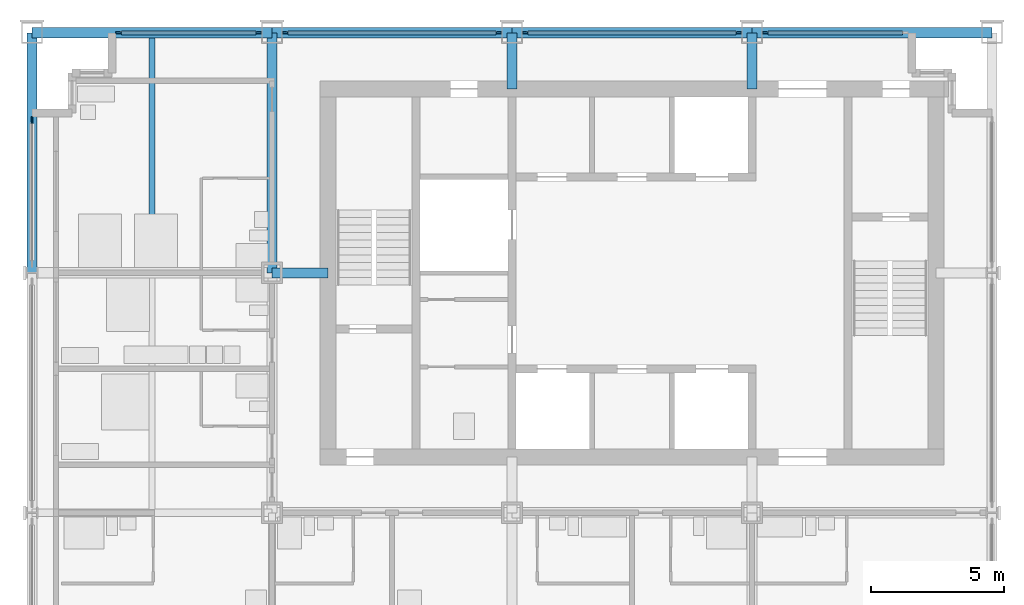
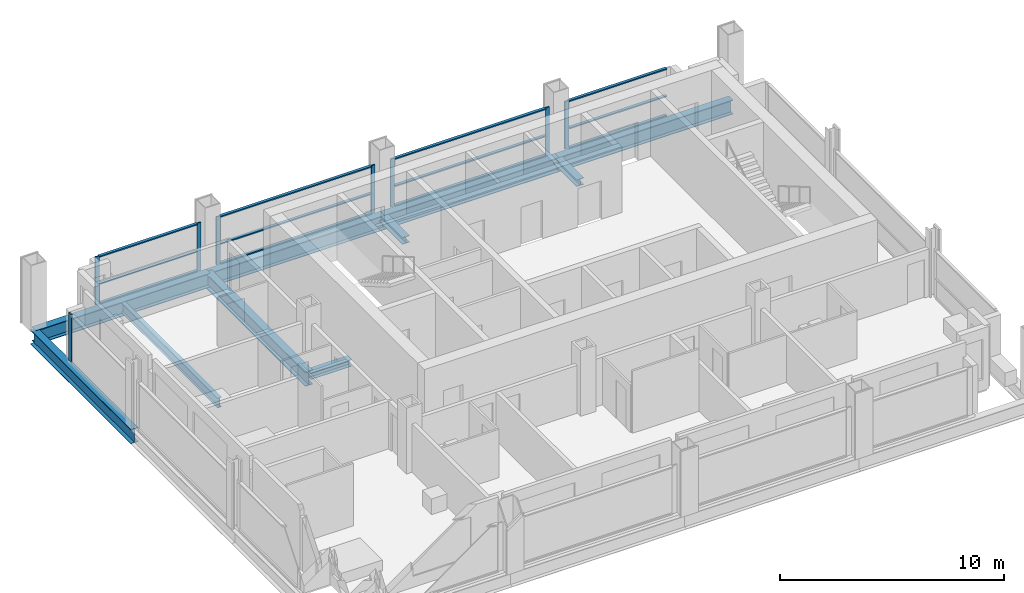
# One storey, part 3 of 12: 23 members, 7 beams, 5 elements without a shape of their own.
"""IFC4 building model written with IfcOpenShell, lengths in metres."""

from ifc_helpers import new_model, si_unit, direction, frame, origin, origin_2d, place, context, subcontext, project, spatial, rectangle, i_section, extrude, material, material_profile, profile_set, type_object, element, aggregate, save


model = new_model("IFC4")

# Units and contexts
model_context = context("Model", 3, precision=1e-05, world=origin(), true_north=direction((0.0, 1.0)))
body_context = subcontext(model_context, "Body", "Model", "MODEL_VIEW")
ifc_project = project(units=[si_unit("LENGTHUNIT", "METRE"), si_unit("AREAUNIT", "SQUARE_METRE"), si_unit("VOLUMEUNIT", "CUBIC_METRE"), si_unit("PLANEANGLEUNIT", "RADIAN"), si_unit("MASSUNIT", "GRAM", prefix="KILO")], contexts=[model_context])

# Site, building, storey
site_placement = place(None, origin())
site = spatial("IfcSite", under=ifc_project, at=site_placement, CompositionType="ELEMENT")
building_placement = place(site_placement, origin())
building = spatial("IfcBuilding", under=site, at=building_placement, Name="Loomwork Tower", CompositionType="ELEMENT")
storey_placement = place(building_placement, frame((0.0, 0.0, 230.199951171875)))
storey = spatial("IfcBuildingStorey", under=building, at=storey_placement, Name="L63", CompositionType="ELEMENT", Elevation=230.199951171875)

# Beam
ifc_material_1 = material(Name="Steel ASTM A992", Category="steel")
ifc_material_profile_1 = material_profile(ifc_material_1, i_section(OverallWidth=0.383544921875, OverallDepth=0.794921875, WebThickness=0.02099609375, FlangeThickness=0.0380859375, at=origin_2d()), Name="W30x235")
ifc_profile_set_1 = profile_set([ifc_material_profile_1], Name="Steel ASTM A992")
beam_type_1 = type_object("IfcBeamType", Name="CORE FLANK GIRDER W30x235", PredefinedType="BEAM", material=ifc_profile_set_1)
beam_1_placement = place(storey_placement, frame((9.0, 18.0, -0.597412109375), z_axis=(0.0, 1.0, 0.0), x_axis=(-1.0, 0.0, 0.0)))
element("IfcBeam", 1, at=beam_1_placement, inside=storey, type_object=beam_type_1, Name="Core Flank Girder F/3-G/3 L63", PredefinedType="BEAM", context=body_context, shape_type="SweptSolid", body=[
    extrude(i_section(OverallWidth=0.383544921875, OverallDepth=0.794921875, WebThickness=0.02099609375, FlangeThickness=0.0380859375, at=origin_2d()), origin(), (0.0, 0.0, 1.0), 9.0),
])

# Members
ifc_material_2 = material(Name="Steel ASTM A992", Category="steel")
ifc_material_profile_2 = material_profile(ifc_material_2, i_section(OverallWidth=0.373291015625, OverallDepth=0.373291015625, WebThickness=0.016357421875, FlangeThickness=0.026123046875, at=origin_2d()), Name="W14x132")
ifc_profile_set_2 = profile_set([ifc_material_profile_2], Name="Steel ASTM A992")
member_type_1 = type_object("IfcMemberType", Name="CORE LINK STRUT W14x132", PredefinedType="STRUT", material=ifc_profile_set_2)
for number, where, z_axis, x_axis, name in (
    (2, (18.0, 27.0, -0.38671875), (0.0, -1.0, 0.0), (1.0, 0.0, 0.0), "Core link strut G/4-18.000,24.900 L63"),
    (3, (27.0, 27.0, -0.38671875), (0.0, -1.0, 0.0), (1.0, 0.0, 0.0), "Core link strut G/5-27.000,24.900 L63"),
    (4, (9.0, 18.0, -0.38671875), (1.0, 0.0, 0.0), (0.0, 1.0, 0.0), "Core link strut F/3-11.100,18.000 L63"),
):
    element("IfcMember", number, at=place(storey_placement, frame(where, z_axis=z_axis, x_axis=x_axis)), inside=storey, type_object=member_type_1, Name=name, PredefinedType="STRUT", context=body_context, shape_type="SweptSolid", body=[
        extrude(i_section(OverallWidth=0.373291015625, OverallDepth=0.373291015625, WebThickness=0.016357421875, FlangeThickness=0.026123046875, at=origin_2d()), origin(), (0.0, 0.0, 1.0), 2.10009765625),
    ])

# Beam
ifc_material_3 = material(Name="Steel ASTM A992", Category="steel")
ifc_material_profile_3 = material_profile(ifc_material_3, i_section(OverallWidth=0.2109375, OverallDepth=0.53857421875, WebThickness=0.011474609375, FlangeThickness=0.018798828125, at=origin_2d()), Name="W21x73")
ifc_profile_set_3 = profile_set([ifc_material_profile_3], Name="Steel ASTM A992")
beam_type_2 = type_object("IfcBeamType", Name="FLOOR JOIST W21x73", PredefinedType="JOIST", material=ifc_profile_set_3)
beam_2_placement = place(storey_placement, frame((4.5, 18.19091796875, -0.46923828125), z_axis=(0.0, 1.0, 0.0), x_axis=(-1.0, 0.0, 0.0)))
element("IfcBeam", 5, at=beam_2_placement, inside=storey, type_object=beam_type_2, Name="Floor Joist 4.500,18.000-4.500,27.000 L63", PredefinedType="JOIST", context=body_context, shape_type="SweptSolid", body=[
    extrude(i_section(OverallWidth=0.2109375, OverallDepth=0.53857421875, WebThickness=0.011474609375, FlangeThickness=0.018798828125, at=origin_2d()), origin(), (0.0, 0.0, 1.0), 8.619140625),
])

# Curtain wall, member
ifc_material_4 = material(Name="Aluminium curtain wall frame", Category="aluminium")
curtain_wall_type_1 = type_object("IfcCurtainWallType", Name="Outer skin glazing suites", PredefinedType="NOTDEFINED", material=ifc_material_4)
curtain_wall_1_placement = place(storey_placement, origin())
curtain_wall_1 = element("IfcCurtainWall", 6, at=curtain_wall_1_placement, inside=storey, type_object=curtain_wall_type_1, Name="Outer skin glazing suites cw/W-18", PredefinedType="NOTDEFINED")
ifc_material_5 = material(Name="Aluminium curtain wall frame", Category="aluminium")
ifc_material_profile_4 = material_profile(ifc_material_5, rectangle(XDim=0.06494140625, YDim=0.25, at=origin_2d()), Name="AL 65x250")
ifc_profile_set_4 = profile_set([ifc_material_profile_4], Name="Aluminium curtain wall frame")
member_type_2 = type_object("IfcMemberType", Name="Outer skin glazing suites mullion", PredefinedType="MULLION", material=ifc_profile_set_4)
member_1_placement = place(storey_placement, frame((0.0, 23.72509765625, 0.0), z_axis=(0.0, 0.0, 1.0), x_axis=(1.0, 0.0, 0.0)))
member_1 = element("IfcMember", 7, at=member_1_placement, type_object=member_type_2, Name="CW2 mullion 1", PredefinedType="MULLION", context=body_context, shape_type="SweptSolid", body=[
    extrude(rectangle(XDim=0.06494140625, YDim=0.25, at=origin_2d()), origin(), (0.0, 0.0, 1.0), 2.620361328125),
])
aggregate(curtain_wall_1, [member_1])

# Beams
ifc_material_6 = material(Name="Steel ASTM A992", Category="steel")
ifc_material_profile_5 = material_profile(ifc_material_6, i_section(OverallWidth=0.381103515625, OverallDepth=0.77978515625, WebThickness=0.01806640625, FlangeThickness=0.0302734375, at=origin_2d()), Name="W30x191")
ifc_profile_set_5 = profile_set([ifc_material_profile_5], Name="Steel ASTM A992")
beam_type_3 = type_object("IfcBeamType", Name="SPANDREL GIRDER W30x191", PredefinedType="SPANDREL", material=ifc_profile_set_5)
for number, where, z_axis, x_axis, name in (
    (8, (0.0, 27.0, -0.58984375), (1.0, 0.0, 0.0), (0.0, 1.0, 0.0), "Spandrel Girder G/2-G/3 L63"),
    (9, (9.0, 27.0, -0.58984375), (1.0, 0.0, 0.0), (0.0, 1.0, 0.0), "Spandrel Girder G/3-G/4 L63"),
    (10, (18.0, 27.0, -0.58984375), (1.0, 0.0, 0.0), (0.0, 1.0, 0.0), "Spandrel Girder G/4-G/5 L63"),
    (11, (27.0, 27.0, -0.58984375), (1.0, 0.0, 0.0), (0.0, 1.0, 0.0), "Spandrel Girder G/5-G/6 L63"),
    (12, (0.0, 18.0, -0.58984375), (0.0, 1.0, 0.0), (-1.0, 0.0, 0.0), "Spandrel Girder F/2-G/2 L63"),
):
    element("IfcBeam", number, at=place(storey_placement, frame(where, z_axis=z_axis, x_axis=x_axis)), inside=storey, type_object=beam_type_3, Name=name, PredefinedType="SPANDREL", context=body_context, shape_type="SweptSolid", body=[
        extrude(i_section(OverallWidth=0.381103515625, OverallDepth=0.77978515625, WebThickness=0.01806640625, FlangeThickness=0.0302734375, at=origin_2d()), origin(), (0.0, 0.0, 1.0), 9.0),
    ])

# Curtain wall, members
ifc_material_7 = material(Name="Aluminium curtain wall frame", Category="aluminium")
curtain_wall_type_2 = type_object("IfcCurtainWallType", Name="Single skin glazing corridor", PredefinedType="NOTDEFINED", material=ifc_material_7)
curtain_wall_2_placement = place(storey_placement, origin())
curtain_wall_2 = element("IfcCurtainWall", 13, at=curtain_wall_2_placement, inside=storey, type_object=curtain_wall_type_2, Name="Single skin glazing corridor cw/N-0", PredefinedType="NOTDEFINED")
ifc_material_8 = material(Name="Aluminium curtain wall frame", Category="aluminium")
ifc_material_profile_6 = material_profile(ifc_material_8, rectangle(XDim=0.06494140625, YDim=0.199951171875, at=origin_2d()), Name="AL 65x200")
ifc_profile_set_6 = profile_set([ifc_material_profile_6], Name="Aluminium curtain wall frame")
member_type_3 = type_object("IfcMemberType", Name="Single skin glazing corridor mullion", PredefinedType="MULLION", material=ifc_profile_set_6)
member_2_placement = place(storey_placement, frame((8.5, 27.0, 0.0), z_axis=(0.0, 0.0, 1.0), x_axis=(0.0, -1.0, 0.0)))
member_2 = element("IfcMember", 14, at=member_2_placement, type_object=member_type_3, Name="CW3 mullion 1", PredefinedType="MULLION", context=body_context, shape_type="SweptSolid", body=[
    extrude(rectangle(XDim=0.06494140625, YDim=0.199951171875, at=origin_2d()), origin(), (0.0, 0.0, 1.0), 2.620361328125),
])
member_3_placement = place(storey_placement, frame((3.25, 27.0, 0.0), z_axis=(0.0, 0.0, 1.0), x_axis=(0.0, -1.0, 0.0)))
member_3 = element("IfcMember", 15, at=member_3_placement, type_object=member_type_3, Name="CW3 mullion 2", PredefinedType="MULLION", context=body_context, shape_type="SweptSolid", body=[
    extrude(rectangle(XDim=0.06494140625, YDim=0.199951171875, at=origin_2d()), origin(), (0.0, 0.0, 1.0), 2.620361328125),
])

curtain_wall_3_placement = place(storey_placement, origin())
curtain_wall_3 = element("IfcCurtainWall", 16, at=curtain_wall_3_placement, inside=storey, type_object=curtain_wall_type_2, Name="Single skin glazing corridor cw/N-9", PredefinedType="NOTDEFINED")
member_4_placement = place(storey_placement, frame((17.5, 27.0, 0.0), z_axis=(0.0, 0.0, 1.0), x_axis=(0.0, -1.0, 0.0)))
member_4 = element("IfcMember", 17, at=member_4_placement, type_object=member_type_3, Name="CW3 mullion 1", PredefinedType="MULLION", context=body_context, shape_type="SweptSolid", body=[
    extrude(rectangle(XDim=0.06494140625, YDim=0.199951171875, at=origin_2d()), origin(), (0.0, 0.0, 1.0), 2.620361328125),
])
member_5_placement = place(storey_placement, frame((9.5, 27.0, 0.0), z_axis=(0.0, 0.0, 1.0), x_axis=(0.0, -1.0, 0.0)))
member_5 = element("IfcMember", 18, at=member_5_placement, type_object=member_type_3, Name="CW3 mullion 2", PredefinedType="MULLION", context=body_context, shape_type="SweptSolid", body=[
    extrude(rectangle(XDim=0.06494140625, YDim=0.199951171875, at=origin_2d()), origin(), (0.0, 0.0, 1.0), 2.620361328125),
])

curtain_wall_4_placement = place(storey_placement, origin())
curtain_wall_4 = element("IfcCurtainWall", 19, at=curtain_wall_4_placement, inside=storey, type_object=curtain_wall_type_2, Name="Single skin glazing corridor cw/N-18", PredefinedType="NOTDEFINED")
member_6_placement = place(storey_placement, frame((26.5, 27.0, 0.0), z_axis=(0.0, 0.0, 1.0), x_axis=(0.0, -1.0, 0.0)))
member_6 = element("IfcMember", 20, at=member_6_placement, type_object=member_type_3, Name="CW3 mullion 1", PredefinedType="MULLION", context=body_context, shape_type="SweptSolid", body=[
    extrude(rectangle(XDim=0.06494140625, YDim=0.199951171875, at=origin_2d()), origin(), (0.0, 0.0, 1.0), 2.620361328125),
])
member_7_placement = place(storey_placement, frame((18.5, 27.0, 0.0), z_axis=(0.0, 0.0, 1.0), x_axis=(0.0, -1.0, 0.0)))
member_7 = element("IfcMember", 21, at=member_7_placement, type_object=member_type_3, Name="CW3 mullion 2", PredefinedType="MULLION", context=body_context, shape_type="SweptSolid", body=[
    extrude(rectangle(XDim=0.06494140625, YDim=0.199951171875, at=origin_2d()), origin(), (0.0, 0.0, 1.0), 2.620361328125),
])

# Curtain wall, member
curtain_wall_5_placement = place(storey_placement, origin())
curtain_wall_5 = element("IfcCurtainWall", 22, at=curtain_wall_5_placement, inside=storey, type_object=curtain_wall_type_2, Name="Single skin glazing corridor cw/N-27", PredefinedType="NOTDEFINED")
member_8_placement = place(storey_placement, frame((27.5, 27.0, 0.0), z_axis=(0.0, 0.0, 1.0), x_axis=(0.0, -1.0, 0.0)))
member_8 = element("IfcMember", 23, at=member_8_placement, type_object=member_type_3, Name="CW3 mullion 2", PredefinedType="MULLION", context=body_context, shape_type="SweptSolid", body=[
    extrude(rectangle(XDim=0.06494140625, YDim=0.199951171875, at=origin_2d()), origin(), (0.0, 0.0, 1.0), 2.620361328125),
])

# Member
ifc_material_9 = material(Name="Aluminium curtain wall frame", Category="aluminium")
ifc_material_profile_7 = material_profile(ifc_material_9, rectangle(XDim=0.14990234375, YDim=0.06494140625, at=origin_2d()), Name="AL 65x150")
ifc_profile_set_7 = profile_set([ifc_material_profile_7], Name="Aluminium curtain wall frame")
member_type_4 = type_object("IfcMemberType", Name="Single skin glazing corridor transom", PredefinedType="USERDEFINED", material=ifc_profile_set_7)
member_9_placement = place(storey_placement, frame((8.39990234375, 27.0, 0.032470703125), z_axis=(-1.0, 0.0, 0.0), x_axis=(0.0, -1.0, 0.0)))
member_9 = element("IfcMember", 24, at=member_9_placement, type_object=member_type_4, Name="CW3 transom 1.1", ObjectType="TRANSOM", PredefinedType="USERDEFINED", context=body_context, shape_type="SweptSolid", body=[
    extrude(rectangle(XDim=0.14990234375, YDim=0.06494140625, at=origin_2d()), origin(), (0.0, 0.0, 1.0), 5.0498046875),
])

member_10_placement = place(storey_placement, frame((8.39990234375, 27.0, 1.10009765625), z_axis=(-1.0, 0.0, 0.0), x_axis=(0.0, -1.0, 0.0)))
member_10 = element("IfcMember", 25, at=member_10_placement, type_object=member_type_4, Name="CW3 transom 1.2", ObjectType="TRANSOM", PredefinedType="USERDEFINED", context=body_context, shape_type="SweptSolid", body=[
    extrude(rectangle(XDim=0.14990234375, YDim=0.06494140625, at=origin_2d()), origin(), (0.0, 0.0, 1.0), 5.0498046875),
])

member_11_placement = place(storey_placement, frame((8.39990234375, 27.0, 2.587646484375), z_axis=(-1.0, 0.0, 0.0), x_axis=(0.0, -1.0, 0.0)))
member_11 = element("IfcMember", 26, at=member_11_placement, type_object=member_type_4, Name="CW3 transom 1.3", ObjectType="TRANSOM", PredefinedType="USERDEFINED", context=body_context, shape_type="SweptSolid", body=[
    extrude(rectangle(XDim=0.14990234375, YDim=0.06494140625, at=origin_2d()), origin(), (0.0, 0.0, 1.0), 5.0498046875),
])

aggregate(curtain_wall_2, [member_2, member_3, member_9, member_10, member_11])

member_12_placement = place(storey_placement, frame((17.39990234375, 27.0, 0.032470703125), z_axis=(-1.0, 0.0, 0.0), x_axis=(0.0, -1.0, 0.0)))
member_12 = element("IfcMember", 27, at=member_12_placement, type_object=member_type_4, Name="CW3 transom 1.1", ObjectType="TRANSOM", PredefinedType="USERDEFINED", context=body_context, shape_type="SweptSolid", body=[
    extrude(rectangle(XDim=0.14990234375, YDim=0.06494140625, at=origin_2d()), origin(), (0.0, 0.0, 1.0), 7.7998046875),
])

member_13_placement = place(storey_placement, frame((17.39990234375, 27.0, 1.10009765625), z_axis=(-1.0, 0.0, 0.0), x_axis=(0.0, -1.0, 0.0)))
member_13 = element("IfcMember", 28, at=member_13_placement, type_object=member_type_4, Name="CW3 transom 1.2", ObjectType="TRANSOM", PredefinedType="USERDEFINED", context=body_context, shape_type="SweptSolid", body=[
    extrude(rectangle(XDim=0.14990234375, YDim=0.06494140625, at=origin_2d()), origin(), (0.0, 0.0, 1.0), 7.7998046875),
])

member_14_placement = place(storey_placement, frame((17.39990234375, 27.0, 2.587646484375), z_axis=(-1.0, 0.0, 0.0), x_axis=(0.0, -1.0, 0.0)))
member_14 = element("IfcMember", 29, at=member_14_placement, type_object=member_type_4, Name="CW3 transom 1.3", ObjectType="TRANSOM", PredefinedType="USERDEFINED", context=body_context, shape_type="SweptSolid", body=[
    extrude(rectangle(XDim=0.14990234375, YDim=0.06494140625, at=origin_2d()), origin(), (0.0, 0.0, 1.0), 7.7998046875),
])

aggregate(curtain_wall_3, [member_4, member_5, member_12, member_13, member_14])

member_15_placement = place(storey_placement, frame((26.39990234375, 27.0, 0.032470703125), z_axis=(-1.0, 0.0, 0.0), x_axis=(0.0, -1.0, 0.0)))
member_15 = element("IfcMember", 30, at=member_15_placement, type_object=member_type_4, Name="CW3 transom 1.1", ObjectType="TRANSOM", PredefinedType="USERDEFINED", context=body_context, shape_type="SweptSolid", body=[
    extrude(rectangle(XDim=0.14990234375, YDim=0.06494140625, at=origin_2d()), origin(), (0.0, 0.0, 1.0), 7.7998046875),
])

member_16_placement = place(storey_placement, frame((26.39990234375, 27.0, 1.10009765625), z_axis=(-1.0, 0.0, 0.0), x_axis=(0.0, -1.0, 0.0)))
member_16 = element("IfcMember", 31, at=member_16_placement, type_object=member_type_4, Name="CW3 transom 1.2", ObjectType="TRANSOM", PredefinedType="USERDEFINED", context=body_context, shape_type="SweptSolid", body=[
    extrude(rectangle(XDim=0.14990234375, YDim=0.06494140625, at=origin_2d()), origin(), (0.0, 0.0, 1.0), 7.7998046875),
])

member_17_placement = place(storey_placement, frame((26.39990234375, 27.0, 2.587646484375), z_axis=(-1.0, 0.0, 0.0), x_axis=(0.0, -1.0, 0.0)))
member_17 = element("IfcMember", 32, at=member_17_placement, type_object=member_type_4, Name="CW3 transom 1.3", ObjectType="TRANSOM", PredefinedType="USERDEFINED", context=body_context, shape_type="SweptSolid", body=[
    extrude(rectangle(XDim=0.14990234375, YDim=0.06494140625, at=origin_2d()), origin(), (0.0, 0.0, 1.0), 7.7998046875),
])

aggregate(curtain_wall_4, [member_6, member_7, member_15, member_16, member_17])

member_18_placement = place(storey_placement, frame((32.64990234375, 27.0, 0.032470703125), z_axis=(-1.0, 0.0, 0.0), x_axis=(0.0, -1.0, 0.0)))
member_18 = element("IfcMember", 33, at=member_18_placement, type_object=member_type_4, Name="CW3 transom 1.1", ObjectType="TRANSOM", PredefinedType="USERDEFINED", context=body_context, shape_type="SweptSolid", body=[
    extrude(rectangle(XDim=0.14990234375, YDim=0.06494140625, at=origin_2d()), origin(), (0.0, 0.0, 1.0), 5.0498046875),
])

member_19_placement = place(storey_placement, frame((32.64990234375, 27.0, 1.10009765625), z_axis=(-1.0, 0.0, 0.0), x_axis=(0.0, -1.0, 0.0)))
member_19 = element("IfcMember", 34, at=member_19_placement, type_object=member_type_4, Name="CW3 transom 1.2", ObjectType="TRANSOM", PredefinedType="USERDEFINED", context=body_context, shape_type="SweptSolid", body=[
    extrude(rectangle(XDim=0.14990234375, YDim=0.06494140625, at=origin_2d()), origin(), (0.0, 0.0, 1.0), 5.0498046875),
])

member_20_placement = place(storey_placement, frame((32.64990234375, 27.0, 2.587646484375), z_axis=(-1.0, 0.0, 0.0), x_axis=(0.0, -1.0, 0.0)))
member_20 = element("IfcMember", 35, at=member_20_placement, type_object=member_type_4, Name="CW3 transom 1.3", ObjectType="TRANSOM", PredefinedType="USERDEFINED", context=body_context, shape_type="SweptSolid", body=[
    extrude(rectangle(XDim=0.14990234375, YDim=0.06494140625, at=origin_2d()), origin(), (0.0, 0.0, 1.0), 5.0498046875),
])

aggregate(curtain_wall_5, [member_8, member_18, member_19, member_20])

save(model, "model.ifc")
